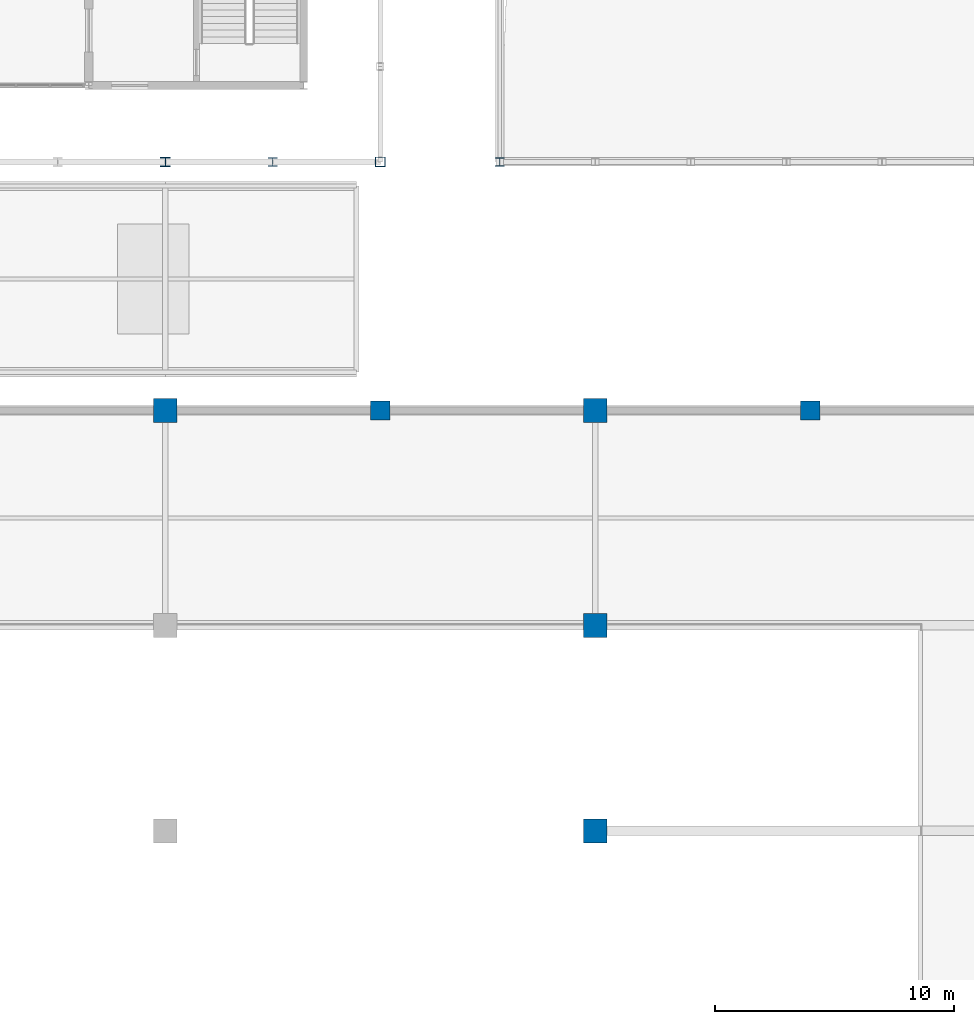
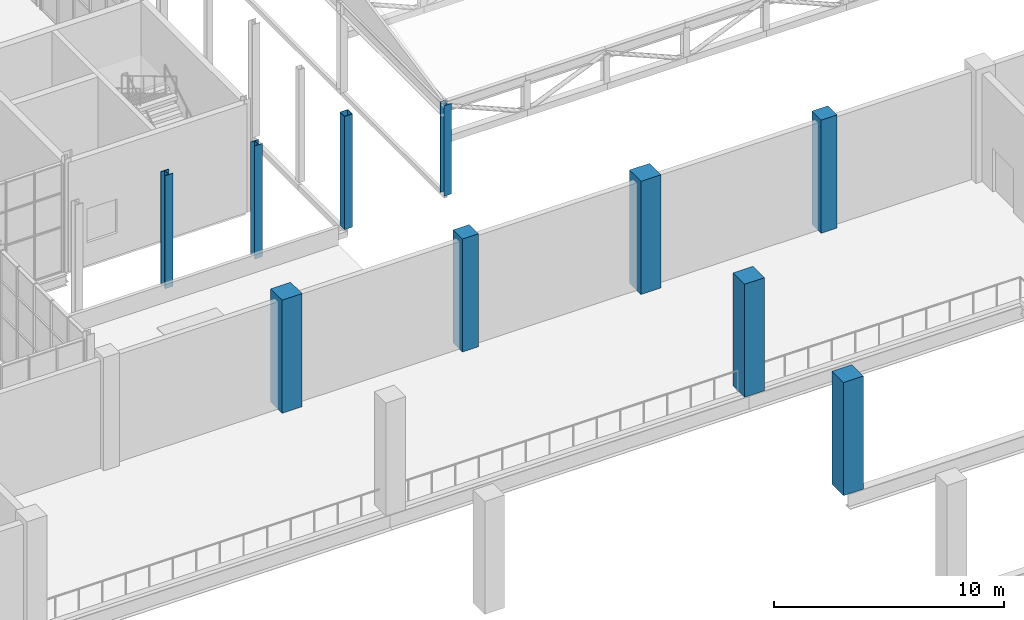
# One storey, part 18 of 159: 10 columns.
"""IFC4 building model written with IfcOpenShell, lengths in metres."""

from ifc_helpers import new_model, si_unit, direction, frame, origin, origin_2d, place, context, subcontext, project, spatial, rectangle, hollow_rectangle, i_section, extrude, material, material_profile, profile_set, type_object, element, save


model = new_model("IFC4")

# Units and contexts
model_context = context("Model", 3, precision=1e-05, world=origin(), true_north=direction((0.0, 1.0)))
body_context = subcontext(model_context, "Body", "Model", "MODEL_VIEW")
ifc_project = project(units=[si_unit("LENGTHUNIT", "METRE"), si_unit("AREAUNIT", "SQUARE_METRE"), si_unit("VOLUMEUNIT", "CUBIC_METRE"), si_unit("PLANEANGLEUNIT", "RADIAN"), si_unit("MASSUNIT", "GRAM", prefix="KILO")], contexts=[model_context])

# Site, building, storey
site_placement = place(None, origin())
site = spatial("IfcSite", under=ifc_project, at=site_placement, CompositionType="ELEMENT")
building_placement = place(site_placement, origin())
building = spatial("IfcBuilding", under=site, at=building_placement, Name="Cazmaro Siding Exhibition Halls", CompositionType="ELEMENT")
storey_placement = place(building_placement, frame((0.0, 0.0, 6.0)))
storey = spatial("IfcBuildingStorey", under=building, at=storey_placement, Name="L01", CompositionType="ELEMENT", Elevation=6.0)

# Columns
ifc_material_1 = material(Name="Steel ASTM A992 Grade 50", Category="steel")
ifc_material_profile_1 = material_profile(ifc_material_1, i_section(OverallWidth=0.39208984375, OverallDepth=0.3759765625, WebThickness=0.01708984375, FlangeThickness=0.028076171875, at=origin_2d()), Name="W14X145")
ifc_profile_set_1 = profile_set([ifc_material_profile_1], Name="Steel ASTM A992 Grade 50")
column_type_1 = type_object("IfcColumnType", Name="C-03", PredefinedType="COLUMN", material=ifc_profile_set_1)
column_1_placement = place(storey_placement, frame((166.5, 64.0, 0.0), z_axis=(0.0, 0.0, 1.0), x_axis=(1.0, 0.0, 0.0)))
element("IfcColumn", 1, at=column_1_placement, inside=storey, type_object=column_type_1, Name="Column C-03 COL-0164", PredefinedType="COLUMN", context=body_context, shape_type="SweptSolid", body=[
    extrude(i_section(OverallWidth=0.39208984375, OverallDepth=0.3759765625, WebThickness=0.01708984375, FlangeThickness=0.028076171875, at=origin_2d()), origin(), (0.0, 0.0, 1.0), 6.0),
])
ifc_material_2 = material(Name="Steel ASTM A992 Grade 50", Category="steel")
ifc_material_profile_2 = material_profile(ifc_material_2, i_section(OverallWidth=0.367919921875, OverallDepth=0.35595703125, WebThickness=0.010986328125, FlangeThickness=0.01806640625, at=origin_2d()), Name="W14X90")
ifc_profile_set_2 = profile_set([ifc_material_profile_2], Name="Steel ASTM A992 Grade 50")
column_type_2 = type_object("IfcColumnType", Name="C-05", PredefinedType="COLUMN", material=ifc_profile_set_2)
column_2_placement = place(storey_placement, frame((176.0, 64.0, 0.0), z_axis=(0.0, 0.0, 1.0), x_axis=(1.0, 0.0, 0.0)))
element("IfcColumn", 2, at=column_2_placement, inside=storey, type_object=column_type_2, Name="Column C-05 COL-0678", PredefinedType="COLUMN", context=body_context, shape_type="SweptSolid", body=[
    extrude(i_section(OverallWidth=0.367919921875, OverallDepth=0.35595703125, WebThickness=0.010986328125, FlangeThickness=0.01806640625, at=origin_2d()), origin(), (0.0, 0.0, 1.0), 4.800048828125),
])
ifc_material_3 = material(Name="Concrete f'c 45 MPa", Category="concrete")
ifc_material_profile_3 = material_profile(ifc_material_3, rectangle(XDim=1.0, YDim=1.0, at=origin_2d()), Name="RC1000X1000")
ifc_profile_set_3 = profile_set([ifc_material_profile_3], Name="Concrete f'c 45 MPa")
column_type_3 = type_object("IfcColumnType", Name="C-07", PredefinedType="COLUMN", material=ifc_profile_set_3)
for number, where, z_axis, x_axis, name in (
    (3, (162.0, 53.60009765625, 0.0), (0.0, 0.0, 1.0), (1.0, 0.0, 0.0), "Column C-07 COL-0528"),
    (4, (180.0, 36.0, 0.0), (0.0, 0.0, 1.0), (1.0, 0.0, 0.0), "Column C-07 COL-0536"),
    (5, (180.0, 44.60009765625, 0.0), (0.0, 0.0, 1.0), (1.0, 0.0, 0.0), "Column C-07 COL-0538"),
    (6, (180.0, 53.60009765625, 0.0), (0.0, 0.0, 1.0), (1.0, 0.0, 0.0), "Column C-07 COL-0540"),
):
    element("IfcColumn", number, at=place(storey_placement, frame(where, z_axis=z_axis, x_axis=x_axis)), inside=storey, type_object=column_type_3, Name=name, PredefinedType="COLUMN", context=body_context, shape_type="SweptSolid", body=[
        extrude(rectangle(XDim=1.0, YDim=1.0, at=origin_2d()), origin(), (0.0, 0.0, 1.0), 6.0),
    ])
ifc_material_4 = material(Name="Concrete f'c 45 MPa", Category="concrete")
ifc_material_profile_4 = material_profile(ifc_material_4, rectangle(XDim=0.800048828125, YDim=0.800048828125, at=origin_2d()), Name="RC800X800")
ifc_profile_set_4 = profile_set([ifc_material_profile_4], Name="Concrete f'c 45 MPa")
column_type_4 = type_object("IfcColumnType", Name="C-08", PredefinedType="COLUMN", material=ifc_profile_set_4)
for number, where, z_axis, x_axis, name in (
    (7, (171.0, 53.60009765625, 0.0), (0.0, 0.0, 1.0), (1.0, 0.0, 0.0), "Column C-08 COL-0634"),
    (8, (189.0, 53.60009765625, 0.0), (0.0, 0.0, 1.0), (1.0, 0.0, 0.0), "Column C-08 COL-0646"),
):
    element("IfcColumn", number, at=place(storey_placement, frame(where, z_axis=z_axis, x_axis=x_axis)), inside=storey, type_object=column_type_4, Name=name, PredefinedType="COLUMN", context=body_context, shape_type="SweptSolid", body=[
        extrude(rectangle(XDim=0.800048828125, YDim=0.800048828125, at=origin_2d()), origin(), (0.0, 0.0, 1.0), 6.0),
    ])
ifc_material_5 = material(Name="Steel ASTM A992 Grade 50", Category="steel")
ifc_material_profile_5 = material_profile(ifc_material_5, i_section(OverallWidth=0.39892578125, OverallDepth=0.386962890625, WebThickness=0.02099609375, FlangeThickness=0.032958984375, at=origin_2d()), Name="W14X176")
ifc_profile_set_5 = profile_set([ifc_material_profile_5], Name="Steel ASTM A992 Grade 50")
column_type_5 = type_object("IfcColumnType", Name="C-11", PredefinedType="COLUMN", material=ifc_profile_set_5)
column_3_placement = place(storey_placement, frame((162.0, 64.0, 0.0), z_axis=(0.0, 0.0, 1.0), x_axis=(1.0, 0.0, 0.0)))
element("IfcColumn", 9, at=column_3_placement, inside=storey, type_object=column_type_5, Name="Column C-11 COL-0158", PredefinedType="COLUMN", context=body_context, shape_type="SweptSolid", body=[
    extrude(i_section(OverallWidth=0.39892578125, OverallDepth=0.386962890625, WebThickness=0.02099609375, FlangeThickness=0.032958984375, at=origin_2d()), origin(), (0.0, 0.0, 1.0), 6.0),
])
ifc_material_6 = material(Name="Steel ASTM A500 Grade C", Category="steel")
ifc_material_profile_6 = material_profile(ifc_material_6, hollow_rectangle(XDim=0.406005859375, YDim=0.406005859375, WallThickness=0.014892578125, at=origin_2d()), Name="HSS16X16X5/8")
ifc_profile_set_6 = profile_set([ifc_material_profile_6], Name="Steel ASTM A500 Grade C")
column_type_6 = type_object("IfcColumnType", Name="PL-01", PredefinedType="PILASTER", material=ifc_profile_set_6)
column_4_placement = place(storey_placement, frame((171.0, 64.0, 0.0), z_axis=(0.0, 0.0, 1.0), x_axis=(1.0, 0.0, 0.0)))
element("IfcColumn", 10, at=column_4_placement, inside=storey, type_object=column_type_6, Name="Column PL-01 COL-0170", PredefinedType="PILASTER", context=body_context, shape_type="SweptSolid", body=[
    extrude(hollow_rectangle(XDim=0.406005859375, YDim=0.406005859375, WallThickness=0.014892578125, at=origin_2d()), origin(), (0.0, 0.0, 1.0), 6.0),
])

save(model, "model.ifc")
